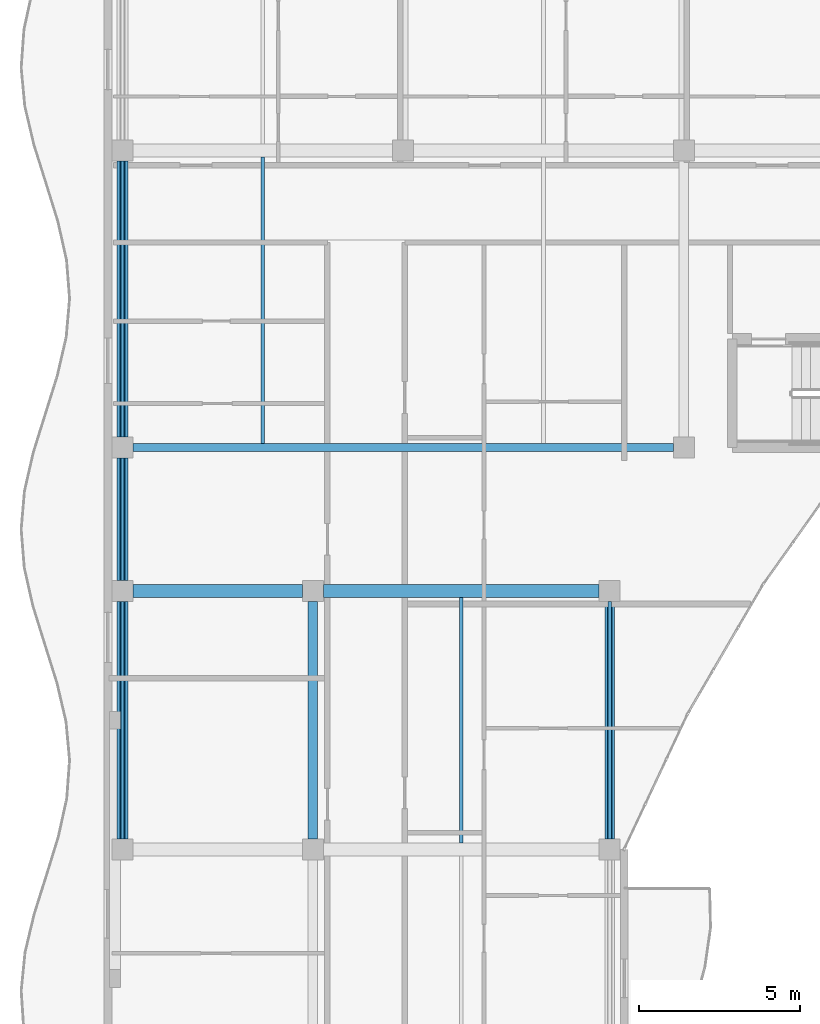
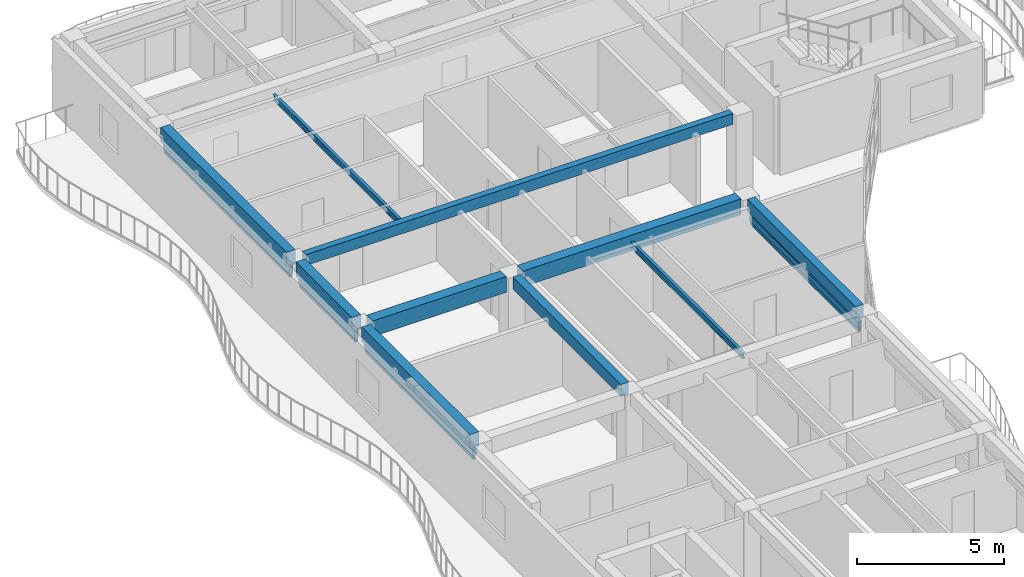
# One storey, part 41 of 128: 10 beams, 8 members.
"""IFC4 building model written with IfcOpenShell, lengths in metres."""

from ifc_helpers import new_model, si_unit, direction, frame, origin, origin_2d, place, context, subcontext, project, spatial, rectangle, hollow_rectangle, i_section, extrude, material, material_profile, profile_set, type_object, element, save


model = new_model("IFC4")

# Units and contexts
model_context = context("Model", 3, precision=1e-05, world=origin(), true_north=direction((0.0, 1.0)))
body_context = subcontext(model_context, "Body", "Model", "MODEL_VIEW")
ifc_project = project(units=[si_unit("LENGTHUNIT", "METRE"), si_unit("AREAUNIT", "SQUARE_METRE"), si_unit("VOLUMEUNIT", "CUBIC_METRE"), si_unit("PLANEANGLEUNIT", "RADIAN"), si_unit("MASSUNIT", "GRAM", prefix="KILO")], contexts=[model_context])

# Site, building, storey
site_placement = place(None, origin())
site = spatial("IfcSite", under=ifc_project, at=site_placement, CompositionType="ELEMENT")
building_placement = place(site_placement, origin())
building = spatial("IfcBuilding", under=site, at=building_placement, Name="Keldmere Railside Commons", CompositionType="ELEMENT")
storey_placement = place(building_placement, frame((0.0, 0.0, 4.159912109375)))
storey = spatial("IfcBuildingStorey", under=building, at=storey_placement, Name="L01", CompositionType="ELEMENT", Elevation=4.159912109375)

# Members
ifc_material_1 = material(Name="Steel F-36 (S355)", Category="steel")
ifc_material_profile_1 = material_profile(ifc_material_1, hollow_rectangle(XDim=0.14990234375, YDim=0.25, WallThickness=0.010009765625, at=origin_2d()), Name="RHS-250x150x10")
ifc_profile_set_1 = profile_set([ifc_material_profile_1], Name="Steel F-36 (S355)")
member_type_1 = type_object("IfcMemberType", Name="Balcony Continuous Planted Trough RHS250x150", PredefinedType="CHORD", material=ifc_profile_set_1)
member_1_placement = place(storey_placement, frame((8.449951171875, 88.324951171875, 2.4150390625), z_axis=(0.0, 1.0, 0.0), x_axis=(-1.0, 0.0, 0.0)))
element("IfcMember", 1, at=member_1_placement, inside=storey, type_object=member_type_1, Name="PLT-1 MEM-BPLT-0101", PredefinedType="CHORD", context=body_context, shape_type="SweptSolid", body=[
    extrude(hollow_rectangle(XDim=0.14990234375, YDim=0.25, WallThickness=0.010009765625, at=origin_2d()), origin(), (0.0, 0.0, 1.0), 7.35009765625),
])
member_2_placement = place(storey_placement, frame((8.449951171875, 96.324951171875, 2.4150390625), z_axis=(0.0, 1.0, 0.0), x_axis=(-1.0, 0.0, 0.0)))
element("IfcMember", 2, at=member_2_placement, inside=storey, type_object=member_type_1, Name="PLT-1 MEM-BPLT-0103", PredefinedType="CHORD", context=body_context, shape_type="SweptSolid", body=[
    extrude(hollow_rectangle(XDim=0.14990234375, YDim=0.25, WallThickness=0.010009765625, at=origin_2d()), origin(), (0.0, 0.0, 1.0), 3.800048828125),
])
member_3_placement = place(storey_placement, frame((8.449951171875, 100.77490234375, 2.4150390625), z_axis=(0.0, 1.0, 0.0), x_axis=(-1.0, 0.0, 0.0)))
element("IfcMember", 3, at=member_3_placement, inside=storey, type_object=member_type_1, Name="PLT-1 MEM-BPLT-0105", PredefinedType="CHORD", context=body_context, shape_type="SweptSolid", body=[
    extrude(hollow_rectangle(XDim=0.14990234375, YDim=0.25, WallThickness=0.010009765625, at=origin_2d()), origin(), (0.0, 0.0, 1.0), 8.550048828125),
])
member_4_placement = place(storey_placement, frame((23.550048828125, 88.324951171875, 2.4150390625), z_axis=(0.0, 1.0, 0.0), x_axis=(-1.0, 0.0, 0.0)))
element("IfcMember", 4, at=member_4_placement, inside=storey, type_object=member_type_1, Name="PLT-1 MEM-BPLT-0117", PredefinedType="CHORD", context=body_context, shape_type="SweptSolid", body=[
    extrude(hollow_rectangle(XDim=0.14990234375, YDim=0.25, WallThickness=0.010009765625, at=origin_2d()), origin(), (0.0, 0.0, 1.0), 7.35009765625),
])

# Beams
ifc_material_profile_2 = material_profile(ifc_material_1, i_section(OverallWidth=0.1201171875, OverallDepth=0.239990234375, WebThickness=0.006103515625, FlangeThickness=0.009765625, at=origin_2d()), Name="IPE-240")
ifc_profile_set_2 = profile_set([ifc_material_profile_2], Name="Steel F-36 (S355)")
beam_type_1 = type_object("IfcBeamType", Name="Nursery & Mezzanine Steel Joist IPE240", PredefinedType="JOIST", material=ifc_profile_set_2)
beam_1_placement = place(storey_placement, frame((18.949951171875, 88.199951171875, 2.81005859375), z_axis=(0.0, 1.0, 0.0), x_axis=(-1.0, 0.0, 0.0)))
element("IfcBeam", 5, at=beam_1_placement, inside=storey, type_object=beam_type_1, Name="JST-2 BM-L01-1013", PredefinedType="JOIST", context=body_context, shape_type="SweptSolid", body=[
    extrude(i_section(OverallWidth=0.1201171875, OverallDepth=0.239990234375, WebThickness=0.006103515625, FlangeThickness=0.009765625, at=origin_2d()), origin(), (0.0, 0.0, 1.0), 7.60009765625),
])
beam_2_placement = place(storey_placement, frame((12.800048828125, 100.574951171875, 2.81005859375), z_axis=(0.0, 1.0, 0.0), x_axis=(-1.0, 0.0, 0.0)))
element("IfcBeam", 6, at=beam_2_placement, inside=storey, type_object=beam_type_1, Name="JST-2 BM-L01-1017", PredefinedType="JOIST", context=body_context, shape_type="SweptSolid", body=[
    extrude(i_section(OverallWidth=0.1201171875, OverallDepth=0.239990234375, WebThickness=0.006103515625, FlangeThickness=0.009765625, at=origin_2d()), origin(), (0.0, 0.0, 1.0), 8.875),
])
ifc_material_2 = material(Name="Architectural Precast Concrete H-35 (C35/45)", Category="concrete")
ifc_material_profile_3 = material_profile(ifc_material_2, rectangle(XDim=0.25, YDim=0.449951171875, at=origin_2d()), Name="RC-250x450")
ifc_profile_set_3 = profile_set([ifc_material_profile_3], Name="Architectural Precast Concrete H-35 (C35/45)")
beam_type_2 = type_object("IfcBeamType", Name="Perimeter Precast Spandrel Beam 250x450", PredefinedType="SPANDREL", material=ifc_profile_set_3)
beam_3_placement = place(storey_placement, frame((8.77490234375, 100.449951171875, 2.97509765625), z_axis=(1.0, 0.0, 0.0), x_axis=(0.0, 1.0, 0.0)))
element("IfcBeam", 7, at=beam_3_placement, inside=storey, type_object=beam_type_2, Name="SPB-1 BM-L01-0819", PredefinedType="SPANDREL", context=body_context, shape_type="SweptSolid", body=[
    extrude(rectangle(XDim=0.25, YDim=0.449951171875, at=origin_2d()), origin(), (0.0, 0.0, 1.0), 16.75),
])
ifc_material_3 = material(Name="Concrete H-30 (C30/37)", Category="concrete")
ifc_material_profile_4 = material_profile(ifc_material_3, rectangle(XDim=0.35009765625, YDim=0.60009765625, at=origin_2d()), Name="RC-350x600")
ifc_profile_set_4 = profile_set([ifc_material_profile_4], Name="Concrete H-30 (C30/37)")
beam_type_3 = type_object("IfcBeamType", Name="Residential Chord RC Beam 350x600", PredefinedType="BEAM", material=ifc_profile_set_4)
beam_4_placement = place(storey_placement, frame((8.449951171875, 88.324951171875, 2.900146484375), z_axis=(0.0, 1.0, 0.0), x_axis=(-1.0, 0.0, 0.0)))
element("IfcBeam", 8, at=beam_4_placement, inside=storey, type_object=beam_type_3, Name="BG-4 BM-L01-0869", PredefinedType="BEAM", context=body_context, shape_type="SweptSolid", body=[
    extrude(rectangle(XDim=0.35009765625, YDim=0.60009765625, at=origin_2d()), origin(), (0.0, 0.0, 1.0), 7.35009765625),
])
beam_5_placement = place(storey_placement, frame((8.449951171875, 96.324951171875, 2.900146484375), z_axis=(0.0, 1.0, 0.0), x_axis=(-1.0, 0.0, 0.0)))
element("IfcBeam", 9, at=beam_5_placement, inside=storey, type_object=beam_type_3, Name="BG-4 BM-L01-0870", PredefinedType="BEAM", context=body_context, shape_type="SweptSolid", body=[
    extrude(rectangle(XDim=0.35009765625, YDim=0.60009765625, at=origin_2d()), origin(), (0.0, 0.0, 1.0), 3.800048828125),
])
beam_6_placement = place(storey_placement, frame((8.449951171875, 100.77490234375, 2.900146484375), z_axis=(0.0, 1.0, 0.0), x_axis=(-1.0, 0.0, 0.0)))
element("IfcBeam", 10, at=beam_6_placement, inside=storey, type_object=beam_type_3, Name="BG-4 BM-L01-0871", PredefinedType="BEAM", context=body_context, shape_type="SweptSolid", body=[
    extrude(rectangle(XDim=0.35009765625, YDim=0.60009765625, at=origin_2d()), origin(), (0.0, 0.0, 1.0), 8.550048828125),
])
ifc_material_profile_5 = material_profile(ifc_material_3, rectangle(XDim=0.39990234375, YDim=0.64990234375, at=origin_2d()), Name="RC-400x650")
ifc_profile_set_5 = profile_set([ifc_material_profile_5], Name="Concrete H-30 (C30/37)")
beam_type_4 = type_object("IfcBeamType", Name="Residential Spine RC Girder 400x650", PredefinedType="BEAM", material=ifc_profile_set_5)
beam_7_placement = place(storey_placement, frame((8.77490234375, 96.0, 2.875), z_axis=(1.0, 0.0, 0.0), x_axis=(0.0, 1.0, 0.0)))
element("IfcBeam", 11, at=beam_7_placement, inside=storey, type_object=beam_type_4, Name="BG-3 BM-L01-0811", PredefinedType="BEAM", context=body_context, shape_type="SweptSolid", body=[
    extrude(rectangle(XDim=0.39990234375, YDim=0.64990234375, at=origin_2d()), origin(), (0.0, 0.0, 1.0), 5.25),
])
beam_8_placement = place(storey_placement, frame((14.675048828125, 96.0, 2.875), z_axis=(1.0, 0.0, 0.0), x_axis=(0.0, 1.0, 0.0)))
element("IfcBeam", 12, at=beam_8_placement, inside=storey, type_object=beam_type_4, Name="BG-3 BM-L01-0812", PredefinedType="BEAM", context=body_context, shape_type="SweptSolid", body=[
    extrude(rectangle(XDim=0.39990234375, YDim=0.64990234375, at=origin_2d()), origin(), (0.0, 0.0, 1.0), 8.550048828125),
])
ifc_material_profile_6 = material_profile(ifc_material_3, rectangle(XDim=0.300048828125, YDim=0.5, at=origin_2d()), Name="RC-300x500")
ifc_profile_set_6 = profile_set([ifc_material_profile_6], Name="Concrete H-30 (C30/37)")
beam_type_5 = type_object("IfcBeamType", Name="Secondary Frame RC Beam 300x500", PredefinedType="BEAM", material=ifc_profile_set_6)
for number, where, z_axis, x_axis, name in (
    (13, (14.35009765625, 88.324951171875, 2.9501953125), (0.0, 1.0, 0.0), (-1.0, 0.0, 0.0), "BG-5 BM-L01-0877"),
    (14, (23.550048828125, 88.324951171875, 2.9501953125), (0.0, 1.0, 0.0), (-1.0, 0.0, 0.0), "BG-5 BM-L01-0883"),
):
    element("IfcBeam", number, at=place(storey_placement, frame(where, z_axis=z_axis, x_axis=x_axis)), inside=storey, type_object=beam_type_5, Name=name, PredefinedType="BEAM", context=body_context, shape_type="SweptSolid", body=[
        extrude(rectangle(XDim=0.300048828125, YDim=0.5, at=origin_2d()), origin(), (0.0, 0.0, 1.0), 7.35009765625),
    ])

# Members
ifc_material_profile_7 = material_profile(ifc_material_1, hollow_rectangle(XDim=0.10009765625, YDim=0.159912109375, WallThickness=0.008056640625, at=origin_2d()), Name="RHS-160x100x8")
ifc_profile_set_7 = profile_set([ifc_material_profile_7], Name="Steel F-36 (S355)")
member_type_2 = type_object("IfcMemberType", Name="Solar Brise-Soleil Louvre Fin RHS160x100", PredefinedType="STRUT", material=ifc_profile_set_7)
member_5_placement = place(storey_placement, frame((8.449951171875, 88.324951171875, 2.2001953125), z_axis=(0.0, 1.0, 0.0), x_axis=(-1.0, 0.0, 0.0)))
element("IfcMember", 15, at=member_5_placement, inside=storey, type_object=member_type_2, Name="BSF-1 MEM-BSF-0102", PredefinedType="STRUT", context=body_context, shape_type="SweptSolid", body=[
    extrude(hollow_rectangle(XDim=0.10009765625, YDim=0.159912109375, WallThickness=0.008056640625, at=origin_2d()), origin(), (0.0, 0.0, 1.0), 7.35009765625),
])
member_6_placement = place(storey_placement, frame((8.449951171875, 96.324951171875, 2.2001953125), z_axis=(0.0, 1.0, 0.0), x_axis=(-1.0, 0.0, 0.0)))
element("IfcMember", 16, at=member_6_placement, inside=storey, type_object=member_type_2, Name="BSF-1 MEM-BSF-0104", PredefinedType="STRUT", context=body_context, shape_type="SweptSolid", body=[
    extrude(hollow_rectangle(XDim=0.10009765625, YDim=0.159912109375, WallThickness=0.008056640625, at=origin_2d()), origin(), (0.0, 0.0, 1.0), 3.800048828125),
])
member_7_placement = place(storey_placement, frame((8.449951171875, 100.77490234375, 2.2001953125), z_axis=(0.0, 1.0, 0.0), x_axis=(-1.0, 0.0, 0.0)))
element("IfcMember", 17, at=member_7_placement, inside=storey, type_object=member_type_2, Name="BSF-1 MEM-BSF-0106", PredefinedType="STRUT", context=body_context, shape_type="SweptSolid", body=[
    extrude(hollow_rectangle(XDim=0.10009765625, YDim=0.159912109375, WallThickness=0.008056640625, at=origin_2d()), origin(), (0.0, 0.0, 1.0), 8.550048828125),
])
member_8_placement = place(storey_placement, frame((23.550048828125, 88.324951171875, 2.2001953125), z_axis=(0.0, 1.0, 0.0), x_axis=(-1.0, 0.0, 0.0)))
element("IfcMember", 18, at=member_8_placement, inside=storey, type_object=member_type_2, Name="BSF-1 MEM-BSF-0118", PredefinedType="STRUT", context=body_context, shape_type="SweptSolid", body=[
    extrude(hollow_rectangle(XDim=0.10009765625, YDim=0.159912109375, WallThickness=0.008056640625, at=origin_2d()), origin(), (0.0, 0.0, 1.0), 7.35009765625),
])

save(model, "model.ifc")
